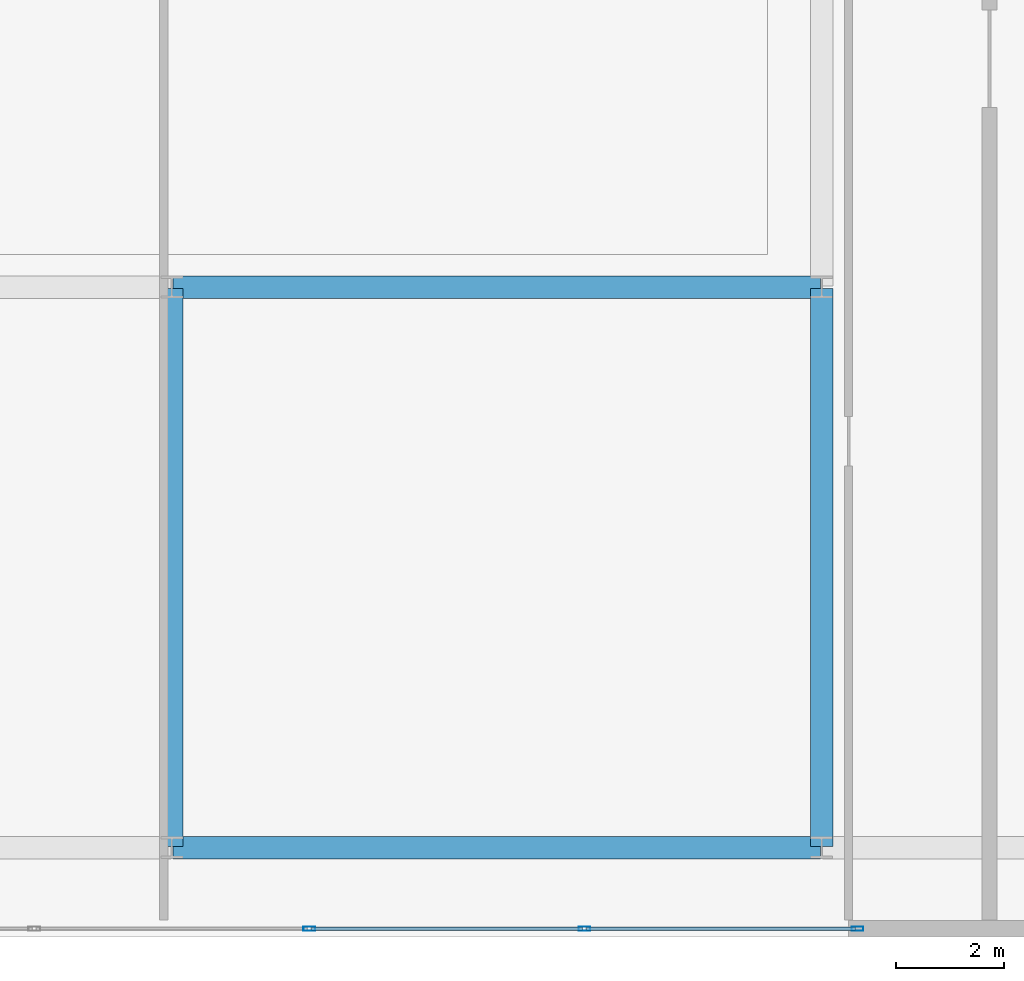
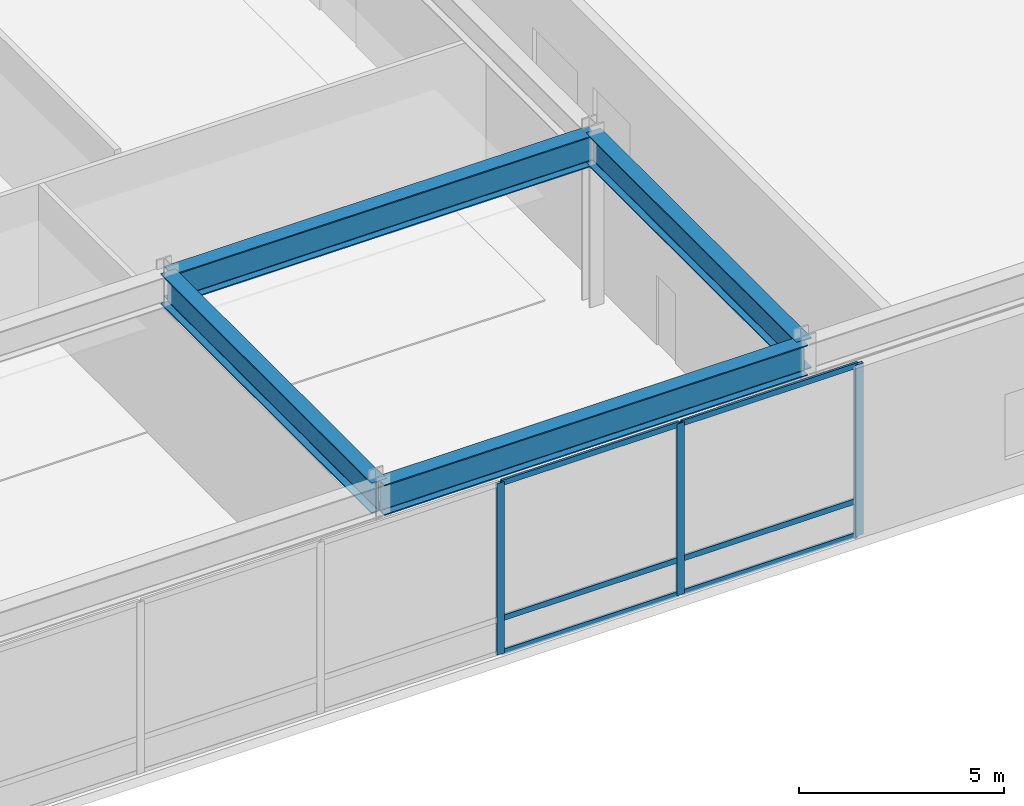
# One storey, part 6 of 12: 9 members, 4 beams, 1 element without a shape of its own.
"""IFC4 building model written with IfcOpenShell, lengths in metres."""

import ifcopenshell
import ifcopenshell.guid

model = None  # the IFC model being written
_history = None  # IfcOwnerHistory: only IFC2X3 demands one
_inside = {}  # id of a spatial element -> (the spatial element, [elements in it])
_under = {}  # id of a project, library or spatial element -> (it, [spatial elements below it])
_declared = {}  # id of a project -> (the project, [libraries it declares])
_typed = {}  # id of a type object -> (the type object, [elements of that type])
_made_of = {}  # id of a material, layer set ... -> (it, [elements and type objects made of it])


def new_model(schema):
    """Start an empty IFC model of exactly this schema.

    Asked for "IFC4X3", IfcOpenShell would pick the latest addendum, in which some entities
    have other attributes; the version numbers below select the first issue.
    IFC2X3 requires an IfcOwnerHistory on every rooted entity: one is made here for all.
    """
    global model, _history
    if schema == "IFC4X3":
        model = ifcopenshell.file(schema_version=(4, 3, 0, 0))
    else:
        model = ifcopenshell.file(schema=schema)
    _inside.clear()
    _under.clear()
    _declared.clear()
    _typed.clear()
    _made_of.clear()
    _history = None
    if model.schema == "IFC2X3":
        org = make("IfcOrganization", Name="unknown")
        user = make(
            "IfcPersonAndOrganization",
            ThePerson=make("IfcPerson", FamilyName="unknown"),
            TheOrganization=org,
        )
        app = make(
            "IfcApplication",
            ApplicationDeveloper=org,
            Version="unknown",
            ApplicationFullName="unknown",
            ApplicationIdentifier="unknown",
        )
        _history = make(
            "IfcOwnerHistory",
            OwningUser=user,
            OwningApplication=app,
            ChangeAction="ADDED",
            CreationDate=0,
        )
    return model


def make(cls, **values):
    """One entity of the class cls with the attributes given. An attribute that is None is left unset."""
    return model.create_entity(
        cls, **{name: value for name, value in values.items() if value is not None}
    )


def rooted(cls, **values):
    """An entity with a GlobalId (a new one), such as an element, a storey or a relation."""
    return make(cls, GlobalId=ifcopenshell.guid.new(), OwnerHistory=_history, **values)


def si_unit(unit_type, name, prefix=None):
    """IfcSIUnit, for example si_unit("LENGTHUNIT", "METRE", prefix="MILLI")."""
    return make("IfcSIUnit", UnitType=unit_type, Prefix=prefix, Name=name)


def assignment(units):
    """IfcUnitAssignment: the units of a project."""
    return None if units is None else make("IfcUnitAssignment", Units=units)


def point(xyz):
    """IfcCartesianPoint."""
    return None if xyz is None else make("IfcCartesianPoint", Coordinates=xyz)


def direction(xyz):
    """IfcDirection."""
    return None if xyz is None else make("IfcDirection", DirectionRatios=xyz)


def frame(location, z_axis=None, x_axis=None):
    """IfcAxis2Placement3D, a coordinate frame: its origin and axes. An axis left out is left unset."""
    return make(
        "IfcAxis2Placement3D",
        Location=point(location),
        Axis=direction(z_axis),
        RefDirection=direction(x_axis),
    )


def frame_2d(location, x_axis=None):
    """IfcAxis2Placement2D, a coordinate frame in the plane: its origin and x axis."""
    return make(
        "IfcAxis2Placement2D", Location=point(location), RefDirection=direction(x_axis)
    )


def origin():
    """The frame at (0, 0, 0) with its axes left unset."""
    return frame((0.0, 0.0, 0.0))


def origin_2d():
    """The frame at (0, 0) in the plane with its x axis left unset."""
    return frame_2d((0.0, 0.0))


def place(relative_to, where):
    """IfcLocalPlacement: puts the frame where relative to a parent placement (None: the world)."""
    return make(
        "IfcLocalPlacement", PlacementRelTo=relative_to, RelativePlacement=where
    )


def context(
    kind, dimensions, precision=None, world=None, true_north=None, identifier=None
):
    """IfcGeometricRepresentationContext, for example the 3D "Model" context."""
    return make(
        "IfcGeometricRepresentationContext",
        ContextIdentifier=identifier,
        ContextType=kind,
        CoordinateSpaceDimension=dimensions,
        Precision=precision,
        WorldCoordinateSystem=world,
        TrueNorth=true_north,
    )


def subcontext(parent, identifier, kind, view, scale=None):
    """IfcGeometricRepresentationSubContext, for example "Body" below "Model"."""
    return make(
        "IfcGeometricRepresentationSubContext",
        ContextIdentifier=identifier,
        ContextType=kind,
        ParentContext=parent,
        TargetScale=scale,
        TargetView=view,
    )


def project(units=None, contexts=None):
    """IfcProject with its units and contexts."""
    return rooted(
        "IfcProject",
        Name="project",
        RepresentationContexts=contexts,
        UnitsInContext=assignment(units),
    )


def spatial(cls, under=None, at=None, **own):
    """A site, building, storey or space (cls), placed at a placement, below another one or the project."""
    s = rooted(cls, ObjectPlacement=at, **own)
    if under is not None:
        _under.setdefault(under.id(), (under, []))[1].append(s)
    return s


def profile(cls, at=None, kind="AREA", **sizes):
    """A parametric profile (cls). Its sizes go by their IFC names, for example OverallWidth=200.0."""
    return make(cls, ProfileType=kind, Position=at, **sizes)


def hollow_rectangle(**sizes):
    """IfcRectangleHollowProfileDef."""
    return profile("IfcRectangleHollowProfileDef", **sizes)


def i_section(**sizes):
    """IfcIShapeProfileDef."""
    return profile("IfcIShapeProfileDef", **sizes)


def extrude(swept, where, along, depth):
    """IfcExtrudedAreaSolid: the profile swept, set in the frame where, extruded along a direction by depth."""
    return make(
        "IfcExtrudedAreaSolid",
        SweptArea=swept,
        Position=where,
        ExtrudedDirection=direction(along),
        Depth=depth,
    )


def shape(context_of_items, identifier, shape_type, items):
    """IfcShapeRepresentation: the items that make up one representation, for example the "Body"."""
    return make(
        "IfcShapeRepresentation",
        ContextOfItems=context_of_items,
        RepresentationIdentifier=identifier,
        RepresentationType=shape_type,
        Items=items,
    )


def source(mapping_origin, context_of_items, identifier, shape_type, items):
    """IfcRepresentationMap: a shape defined once, which mapped items show again and again."""
    return make(
        "IfcRepresentationMap",
        MappingOrigin=mapping_origin,
        MappedRepresentation=shape(context_of_items, identifier, shape_type, items),
    )


def transform(
    local_origin,
    x_axis=None,
    y_axis=None,
    z_axis=None,
    scale=None,
    scale2=None,
    scale3=None,
    uniform=True,
):
    """IfcCartesianTransformationOperator3D, or its non-uniform kind. x_axis, y_axis, z_axis: its Axis1, 2, 3."""
    if uniform:
        return make(
            "IfcCartesianTransformationOperator3D",
            Axis1=direction(x_axis),
            Axis2=direction(y_axis),
            LocalOrigin=point(local_origin),
            Scale=scale,
            Axis3=direction(z_axis),
        )
    return make(
        "IfcCartesianTransformationOperator3DnonUniform",
        Axis1=direction(x_axis),
        Axis2=direction(y_axis),
        LocalOrigin=point(local_origin),
        Scale=scale,
        Axis3=direction(z_axis),
        Scale2=scale2,
        Scale3=scale3,
    )


def mapped(mapping_source, mapping_target):
    """IfcMappedItem: shows the shape of a source again, moved by a transform."""
    return make(
        "IfcMappedItem", MappingSource=mapping_source, MappingTarget=mapping_target
    )


def material(Name=None, Category=None):
    """IfcMaterial."""
    return make("IfcMaterial", Name=Name, Category=Category)


def layer(
    of_material, thickness, ventilated=None, Name=None, Category=None, Priority=None
):
    """IfcMaterialLayer: one layer of a wall or slab, of a material (None: an air gap)."""
    return make(
        "IfcMaterialLayer",
        Material=of_material,
        LayerThickness=thickness,
        IsVentilated=ventilated,
        Name=Name,
        Category=Category,
        Priority=Priority,
    )


def layer_set(layers, Name=None):
    """IfcMaterialLayerSet."""
    return make("IfcMaterialLayerSet", MaterialLayers=layers, LayerSetName=Name)


def material_profile(
    of_material, cross_section, Name=None, Category=None, Priority=None
):
    """IfcMaterialProfile: a cross section and its material."""
    return make(
        "IfcMaterialProfile",
        Name=Name,
        Material=of_material,
        Profile=cross_section,
        Priority=Priority,
        Category=Category,
    )


def profile_set(profiles, Name=None, composite=None):
    """IfcMaterialProfileSet."""
    return make(
        "IfcMaterialProfileSet",
        Name=Name,
        MaterialProfiles=profiles,
        CompositeProfile=composite,
    )


def made_of(thing, what):
    """Note that an element or type object is made of a material, layer set ...; save() writes the relation."""
    if what is not None:
        _made_of.setdefault(what.id(), (what, []))[1].append(thing)
    return thing


def type_object(cls, material=None, **own):
    """A type object (cls), such as IfcWallType, which elements share."""
    return made_of(rooted(cls, **own), material)


def type_shapes(of_type, sources):
    """Give a type object the sources (RepresentationMaps) that its elements show as mapped items."""
    of_type.RepresentationMaps = sources


def element(
    cls,
    number,
    at=None,
    inside=None,
    cuts=None,
    type_object=None,
    material=None,
    context=None,
    identifier="Body",
    shape_type=None,
    held_by="IfcProductDefinitionShape",
    body=None,
    shapes=None,
    **own,
):
    """One element of the class cls, such as IfcWall. Its Tag is "e" and its number.

    at: its placement. inside: the storey or other place that contains it. cuts: it is an
    opening in that element (IfcRelVoidsElement). A single representation is given by context,
    identifier, shape_type and body (its items); several are given by shapes. held_by: the class
    of the entity that holds the representations. save() writes the other relations.
    """
    e = rooted(cls, Tag="e%d" % number, ObjectPlacement=at, **own)
    if body is not None:
        shapes = [shape(context, identifier, shape_type, body)]
    if shapes is not None:
        e.Representation = make(held_by, Representations=shapes)
    if inside is not None:
        _inside.setdefault(inside.id(), (inside, []))[1].append(e)
    if cuts is not None:
        rooted(
            "IfcRelVoidsElement", RelatingBuildingElement=cuts, RelatedOpeningElement=e
        )
    if type_object is not None:
        _typed.setdefault(type_object.id(), (type_object, []))[1].append(e)
    return made_of(e, material)


def aggregate(whole, parts):
    """IfcRelAggregates: a whole, such as a stair, and the parts it consists of."""
    return rooted("IfcRelAggregates", RelatingObject=whole, RelatedObjects=parts)


def save(model, path):
    """Write the relations noted so far, then the file.

    IfcRelAggregates (storeys below a building ...), IfcRelContainedInSpatialStructure (elements
    in a storey), IfcRelDefinesByType, IfcRelAssociatesMaterial and IfcRelDeclares: one each for
    every whole, place, type object, material and project.
    """
    for whole, parts in _under.values():
        aggregate(whole, parts)
    for where, things in _inside.values():
        rooted(
            "IfcRelContainedInSpatialStructure",
            RelatedElements=things,
            RelatingStructure=where,
        )
    for kind, things in _typed.values():
        rooted("IfcRelDefinesByType", RelatedObjects=things, RelatingType=kind)
    for what, things in _made_of.values():
        rooted("IfcRelAssociatesMaterial", RelatedObjects=things, RelatingMaterial=what)
    for by, libraries in _declared.values():
        rooted("IfcRelDeclares", RelatingContext=by, RelatedDefinitions=libraries)
    model.write(path)


model = new_model("IFC4")

# Units and contexts
model_context = context("Model", 3, precision=1e-05, world=origin(), true_north=direction((0.0, 1.0)))
body_context = subcontext(model_context, "Body", "Model", "MODEL_VIEW")
ifc_project = project(units=[si_unit("LENGTHUNIT", "METRE"), si_unit("AREAUNIT", "SQUARE_METRE"), si_unit("VOLUMEUNIT", "CUBIC_METRE"), si_unit("PLANEANGLEUNIT", "RADIAN"), si_unit("MASSUNIT", "GRAM", prefix="KILO")], contexts=[model_context])

# Site, building, storey
site_placement = place(None, origin())
site = spatial("IfcSite", under=ifc_project, at=site_placement, CompositionType="ELEMENT")
building_placement = place(site_placement, origin())
building = spatial("IfcBuilding", under=site, at=building_placement, Name="Varnel Quay Broadcast Tower", CompositionType="ELEMENT")
storey_placement = place(building_placement, frame((0.0, 0.0, 11.39990234375)))
storey = spatial("IfcBuildingStorey", under=building, at=storey_placement, Name="L02", CompositionType="ELEMENT", Elevation=11.39990234375)

# Beams
ifc_material_1 = material(Name="Structural Steel CSA G40.21 350W", Category="steel")
ifc_material_profile_1 = material_profile(ifc_material_1, i_section(OverallWidth=0.41796875, OverallDepth=0.912109375, WebThickness=0.019287109375, FlangeThickness=0.031982421875, FilletRadius=0.02197265625, at=origin_2d()), Name="W920X342")
ifc_profile_set_1 = profile_set([ifc_material_profile_1], Name="Structural Steel CSA G40.21 350W")
beam_type = type_object("IfcBeamType", Name="Girder_W920X342", PredefinedType="BEAM", material=ifc_profile_set_1)
shared_shape_1 = source(origin(), body_context, "Body", "SweptSolid", [
    extrude(i_section(OverallWidth=0.41796875, OverallDepth=0.912109375, WebThickness=0.019287109375, FlangeThickness=0.031982421875, FilletRadius=0.02197265625, at=origin_2d()), origin(), (0.0, 0.0, 1.0), 11.9599609375),
])
for number, where, z_axis, x_axis, name in (
    (1, (34.02001953125, 1.64990234375, 4.6640625), (1.0, 0.0, 0.0), (0.0, 1.0, 0.0), "L02 Girder G-PS3"),
    (2, (34.02001953125, 12.0, 4.6640625), (1.0, 0.0, 0.0), (0.0, 1.0, 0.0), "L02 Girder G-STC1B"),
):
    element("IfcBeam", number, at=place(storey_placement, frame(where, z_axis=z_axis, x_axis=x_axis)), inside=storey, type_object=beam_type, Name=name, PredefinedType="BEAM", context=body_context, shape_type="MappedRepresentation", body=[
        mapped(shared_shape_1, transform((0.0, 0.0, 0.0), x_axis=(1.0, 0.0, 0.0), y_axis=(0.0, 1.0, 0.0), z_axis=(0.0, 0.0, 1.0), scale=1.0)),
    ])
shared_shape_2 = source(origin(), body_context, "Body", "SweptSolid", [
    extrude(i_section(OverallWidth=0.41796875, OverallDepth=0.912109375, WebThickness=0.019287109375, FlangeThickness=0.031982421875, FilletRadius=0.02197265625, at=origin_2d()), origin(), (0.0, 0.0, 1.0), 10.31005859375),
])
type_shapes(beam_type, [shared_shape_1, shared_shape_2])
for number, where, z_axis, x_axis, name in (
    (3, (34.0, 1.669921875, 4.6640625), (0.0, 1.0, 0.0), (-1.0, 0.0, 0.0), "L02 Girder G-M2B"),
    (4, (46.0, 1.669921875, 4.6640625), (0.0, 1.0, 0.0), (-1.0, 0.0, 0.0), "L02 Girder G-M3"),
):
    element("IfcBeam", number, at=place(storey_placement, frame(where, z_axis=z_axis, x_axis=x_axis)), inside=storey, type_object=beam_type, Name=name, PredefinedType="BEAM", context=body_context, shape_type="MappedRepresentation", body=[
        mapped(shared_shape_2, transform((0.0, 0.0, 0.0), x_axis=(1.0, 0.0, 0.0), y_axis=(0.0, 1.0, 0.0), z_axis=(0.0, 0.0, 1.0), scale=1.0)),
    ])

# Curtain wall, members
ifc_material_2 = material(Name="Anodised Bronze Aluminium 6063-T6", Category="aluminium")
ifc_layer = layer(ifc_material_2, 0.18994140625, Name="Anodised Bronze Aluminium 6063-T6")
ifc_layer_set = layer_set([ifc_layer], Name="Anodised Bronze Aluminium 6063-T6")
curtain_wall_type = type_object("IfcCurtainWallType", Name="CW_PodiumForum", PredefinedType="NOTDEFINED", material=ifc_layer_set)
curtain_wall_placement = place(storey_placement, origin())
curtain_wall = element("IfcCurtainWall", 5, at=curtain_wall_placement, inside=storey, type_object=curtain_wall_type, Name="L02 Waterfront Forum Curtain Wall", PredefinedType="NOTDEFINED")
ifc_material_profile_2 = material_profile(ifc_material_2, hollow_rectangle(XDim=0.074951171875, YDim=0.219970703125, WallThickness=0.00390625, at=origin_2d()), Name="ALU75X220X4")
ifc_profile_set_2 = profile_set([ifc_material_profile_2], Name="Anodised Bronze Aluminium 6063-T6")
member_type_1 = type_object("IfcMemberType", Name="Mull_CWS-01", PredefinedType="MULLION", material=ifc_profile_set_2)
shared_shape_3 = source(origin(), body_context, "Body", "SweptSolid", [
    extrude(hollow_rectangle(XDim=0.074951171875, YDim=0.219970703125, WallThickness=0.00390625, at=origin_2d()), origin(), (0.0, 0.0, 1.0), 5.1201171875),
])
type_shapes(member_type_1, [shared_shape_3])
member_1_placement = place(storey_placement, frame((36.5400390625, 0.14990234375, 0.0), z_axis=(0.0, 0.0, 1.0), x_axis=(0.0, 1.0, 0.0)))
member_1 = element("IfcMember", 6, at=member_1_placement, type_object=member_type_1, Name="CWS-01 mullion 4", PredefinedType="MULLION", context=body_context, shape_type="MappedRepresentation", body=[
    mapped(shared_shape_3, transform((0.0, 0.0, 0.0), x_axis=(1.0, 0.0, 0.0), y_axis=(0.0, 1.0, 0.0), z_axis=(0.0, 0.0, 1.0), scale=1.0)),
])
member_2_placement = place(storey_placement, frame((41.6201171875, 0.14990234375, 0.0), z_axis=(0.0, 0.0, 1.0), x_axis=(0.0, 1.0, 0.0)))
member_2 = element("IfcMember", 7, at=member_2_placement, type_object=member_type_1, Name="CWS-01 mullion 5", PredefinedType="MULLION", context=body_context, shape_type="MappedRepresentation", body=[
    mapped(shared_shape_3, transform((0.0, 0.0, 0.0), x_axis=(1.0, 0.0, 0.0), y_axis=(0.0, 1.0, 0.0), z_axis=(0.0, 0.0, 1.0), scale=1.0)),
])
member_3_placement = place(storey_placement, frame((46.66259765625, 0.14990234375, 0.0), z_axis=(0.0, 0.0, 1.0), x_axis=(0.0, 1.0, 0.0)))
member_3 = element("IfcMember", 8, at=member_3_placement, type_object=member_type_1, Name="CWS-01 mullion 6", PredefinedType="MULLION", context=body_context, shape_type="MappedRepresentation", body=[
    mapped(shared_shape_3, transform((0.0, 0.0, 0.0), x_axis=(1.0, 0.0, 0.0), y_axis=(0.0, 1.0, 0.0), z_axis=(0.0, 0.0, 1.0), scale=1.0)),
])
ifc_material_profile_3 = material_profile(ifc_material_2, hollow_rectangle(XDim=0.06494140625, YDim=0.1650390625, WallThickness=0.00341796875, at=origin_2d()), Name="ALU65X165X3.5")
ifc_profile_set_3 = profile_set([ifc_material_profile_3], Name="Anodised Bronze Aluminium 6063-T6")
member_type_2 = type_object("IfcMemberType", Name="Tran_CWS-01", PredefinedType="USERDEFINED", material=ifc_profile_set_3)
shared_shape_4 = source(origin(), body_context, "Body", "SweptSolid", [
    extrude(hollow_rectangle(XDim=0.06494140625, YDim=0.1650390625, WallThickness=0.00341796875, at=origin_2d()), origin(), (0.0, 0.0, 1.0), 4.967529296875),
])
member_4_placement = place(storey_placement, frame((41.657470703125, 0.14990234375, 0.03271484375), z_axis=(1.0, 0.0, 0.0), x_axis=(0.0, 1.0, 0.0)))
member_4 = element("IfcMember", 9, at=member_4_placement, type_object=member_type_2, Name="CWS-01 transom 5.1", ObjectType="TRANSOM", PredefinedType="USERDEFINED", context=body_context, shape_type="MappedRepresentation", body=[
    mapped(shared_shape_4, transform((0.0, 0.0, 0.0), x_axis=(1.0, 0.0, 0.0), y_axis=(0.0, 1.0, 0.0), z_axis=(0.0, 0.0, 1.0), scale=1.0)),
])
member_5_placement = place(storey_placement, frame((41.657470703125, 0.14990234375, 1.050048828125), z_axis=(1.0, 0.0, 0.0), x_axis=(0.0, 1.0, 0.0)))
member_5 = element("IfcMember", 10, at=member_5_placement, type_object=member_type_2, Name="CWS-01 transom 5.2", ObjectType="TRANSOM", PredefinedType="USERDEFINED", context=body_context, shape_type="MappedRepresentation", body=[
    mapped(shared_shape_4, transform((0.0, 0.0, 0.0), x_axis=(1.0, 0.0, 0.0), y_axis=(0.0, 1.0, 0.0), z_axis=(0.0, 0.0, 1.0), scale=1.0)),
])
member_6_placement = place(storey_placement, frame((41.657470703125, 0.14990234375, 5.087646484375), z_axis=(1.0, 0.0, 0.0), x_axis=(0.0, 1.0, 0.0)))
member_6 = element("IfcMember", 11, at=member_6_placement, type_object=member_type_2, Name="CWS-01 transom 5.3", ObjectType="TRANSOM", PredefinedType="USERDEFINED", context=body_context, shape_type="MappedRepresentation", body=[
    mapped(shared_shape_4, transform((0.0, 0.0, 0.0), x_axis=(1.0, 0.0, 0.0), y_axis=(0.0, 1.0, 0.0), z_axis=(0.0, 0.0, 1.0), scale=1.0)),
])
shared_shape_5 = source(origin(), body_context, "Body", "SweptSolid", [
    extrude(hollow_rectangle(XDim=0.06494140625, YDim=0.1650390625, WallThickness=0.00341796875, at=origin_2d()), origin(), (0.0, 0.0, 1.0), 5.005126953125),
])
type_shapes(member_type_2, [shared_shape_4, shared_shape_5])
member_7_placement = place(storey_placement, frame((36.577392578125, 0.14990234375, 0.03271484375), z_axis=(1.0, 0.0, 0.0), x_axis=(0.0, 1.0, 0.0)))
member_7 = element("IfcMember", 12, at=member_7_placement, type_object=member_type_2, Name="CWS-01 transom 4.1", ObjectType="TRANSOM", PredefinedType="USERDEFINED", context=body_context, shape_type="MappedRepresentation", body=[
    mapped(shared_shape_5, transform((0.0, 0.0, 0.0), x_axis=(1.0, 0.0, 0.0), y_axis=(0.0, 1.0, 0.0), z_axis=(0.0, 0.0, 1.0), scale=1.0)),
])
member_8_placement = place(storey_placement, frame((36.577392578125, 0.14990234375, 1.050048828125), z_axis=(1.0, 0.0, 0.0), x_axis=(0.0, 1.0, 0.0)))
member_8 = element("IfcMember", 13, at=member_8_placement, type_object=member_type_2, Name="CWS-01 transom 4.2", ObjectType="TRANSOM", PredefinedType="USERDEFINED", context=body_context, shape_type="MappedRepresentation", body=[
    mapped(shared_shape_5, transform((0.0, 0.0, 0.0), x_axis=(1.0, 0.0, 0.0), y_axis=(0.0, 1.0, 0.0), z_axis=(0.0, 0.0, 1.0), scale=1.0)),
])
member_9_placement = place(storey_placement, frame((36.577392578125, 0.14990234375, 5.087646484375), z_axis=(1.0, 0.0, 0.0), x_axis=(0.0, 1.0, 0.0)))
member_9 = element("IfcMember", 14, at=member_9_placement, type_object=member_type_2, Name="CWS-01 transom 4.3", ObjectType="TRANSOM", PredefinedType="USERDEFINED", context=body_context, shape_type="MappedRepresentation", body=[
    mapped(shared_shape_5, transform((0.0, 0.0, 0.0), x_axis=(1.0, 0.0, 0.0), y_axis=(0.0, 1.0, 0.0), z_axis=(0.0, 0.0, 1.0), scale=1.0)),
])
aggregate(curtain_wall, [member_1, member_2, member_3, member_7, member_8, member_9, member_4, member_5, member_6])

save(model, "model.ifc")
